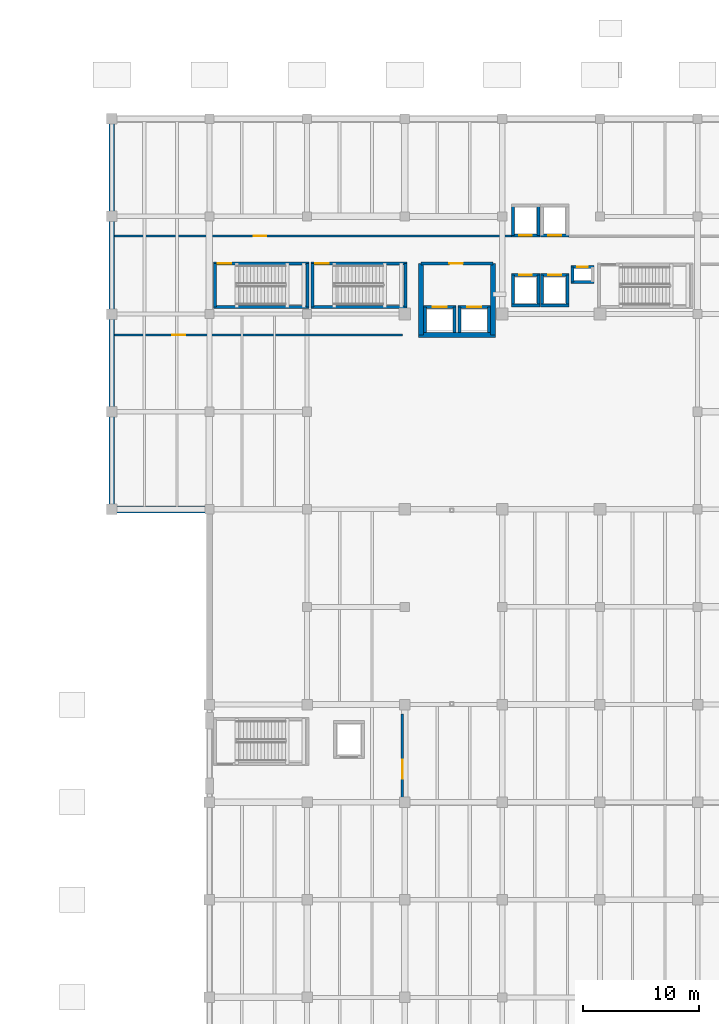
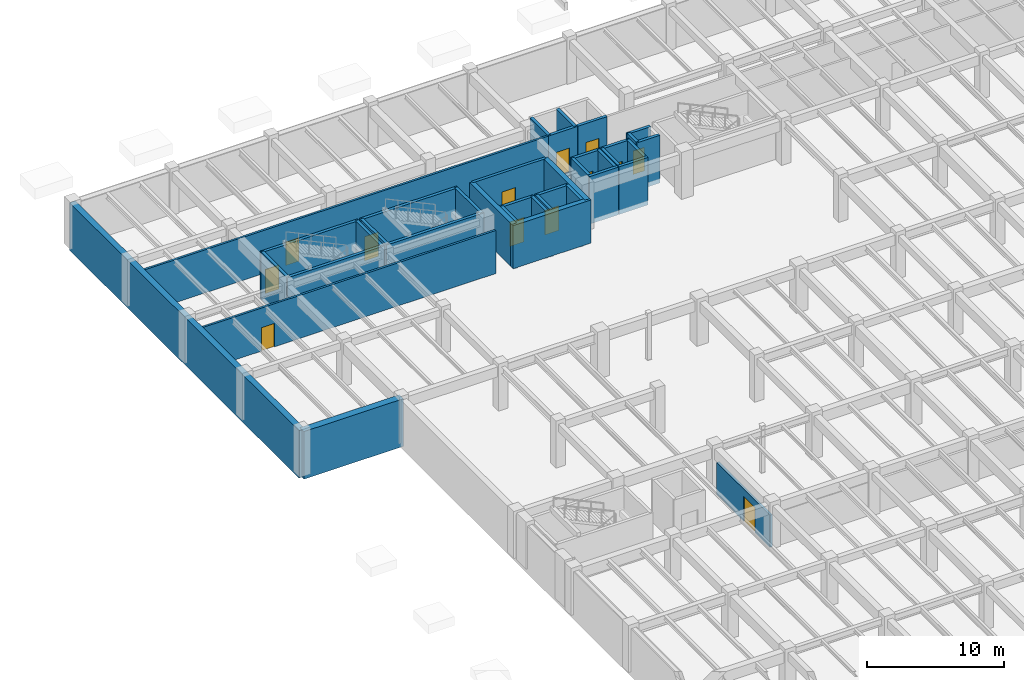
# One storey, part 39 of 63: 38 walls, 13 doors, 13 openings.
"""IFC4 building model written with IfcOpenShell, lengths in metres."""

from ifc_helpers import new_model, si_unit, direction, frame, frame_2d, origin, place, context, subcontext, project, spatial, rectangle, extrude, material, layer, layer_set, type_object, element, fill, save


model = new_model("IFC4")

# Units and contexts
model_context = context("Model", 3, precision=1e-05, world=origin(), true_north=direction((0.0, 1.0)))
body_context = subcontext(model_context, "Body", "Model", "MODEL_VIEW")
ifc_project = project(units=[si_unit("LENGTHUNIT", "METRE"), si_unit("AREAUNIT", "SQUARE_METRE"), si_unit("VOLUMEUNIT", "CUBIC_METRE"), si_unit("PLANEANGLEUNIT", "RADIAN"), si_unit("MASSUNIT", "GRAM", prefix="KILO")], contexts=[model_context])

# Site, building, storey
site_placement = place(None, origin())
site = spatial("IfcSite", under=ifc_project, at=site_placement, CompositionType="ELEMENT")
building_placement = place(site_placement, origin())
building = spatial("IfcBuilding", under=site, at=building_placement, Name="Cumbredor Promenade Congress Hotel", CompositionType="ELEMENT")
storey_placement = place(building_placement, frame((0.0, 0.0, -4.199951171875)))
storey = spatial("IfcBuildingStorey", under=building, at=storey_placement, Name="B01", CompositionType="ELEMENT", Elevation=-4.199951171875)

# Walls
ifc_material_1 = material(Name="Concrete C40/50", Category="concrete")
ifc_layer_1 = layer(ifc_material_1, 0.5, Name="Concrete C40/50", Category="concrete")
ifc_layer_set_1 = layer_set([ifc_layer_1], Name="Concrete C40/50")
wall_type_1 = type_object("IfcWallType", Name="Basement Retaining Wall 500mm", PredefinedType="USERDEFINED", material=ifc_layer_set_1)
wall_1_placement = place(storey_placement, frame((0.0, 117.60009765625, -0.400146484375), z_axis=(0.0, 0.0, 1.0), x_axis=(0.0, -1.0, 0.0)))
element("IfcWall", 1, at=wall_1_placement, inside=storey, type_object=wall_type_1, Name="B01 Basement Retaining Wall RW-B01-06", ObjectType="RETAINING WALL", PredefinedType="USERDEFINED", context=body_context, shape_type="SweptSolid", body=[
    extrude(rectangle(XDim=33.60009765625, YDim=0.5, at=frame_2d((16.800048828125, 0.0))), origin(), (0.0, 0.0, 1.0), 4.25),
])
ifc_layer_2 = layer(ifc_material_1, 0.60009765625, Name="Concrete C40/50", Category="concrete")
ifc_layer_set_2 = layer_set([ifc_layer_2], Name="Concrete C40/50")
wall_type_2 = type_object("IfcWallType", Name="Basement Retaining Wall 600mm", PredefinedType="USERDEFINED", material=ifc_layer_set_2)
wall_2_placement = place(storey_placement, frame((0.0, 84.0, -0.400146484375), z_axis=(0.0, 0.0, 1.0), x_axis=(1.0, 0.0, 0.0)))
element("IfcWall", 2, at=wall_2_placement, inside=storey, type_object=wall_type_2, Name="B01 Basement Retaining Wall RW-B01-07", ObjectType="RETAINING WALL", PredefinedType="USERDEFINED", context=body_context, shape_type="SweptSolid", body=[
    extrude(rectangle(XDim=8.39990234375, YDim=0.60009765625, at=frame_2d((4.199951171875, 0.0))), origin(), (0.0, 0.0, 1.0), 4.25),
])
ifc_material_2 = material(Name="Concrete C50/60", Category="concrete")
ifc_layer_3 = layer(ifc_material_2, 0.39990234375, Name="Concrete C50/60", Category="concrete")
ifc_layer_set_3 = layer_set([ifc_layer_3], Name="Concrete C50/60")
wall_type_3 = type_object("IfcWallType", Name="Seismic Shear Core Wall 400mm", PredefinedType="SHEAR", material=ifc_layer_set_3)
wall_3_placement = place(storey_placement, frame((26.60009765625, 99.0, 0.0), z_axis=(0.0, 0.0, 1.0), x_axis=(0.0, 1.0, 0.0)))
element("IfcWall", 3, at=wall_3_placement, inside=storey, type_object=wall_type_3, Name="B01 Hotel Core Shear Wall W1", PredefinedType="SHEAR", context=body_context, shape_type="SweptSolid", body=[
    extrude(rectangle(XDim=6.14990234375, YDim=0.39990234375, at=frame_2d((3.074951171875, 0.0))), origin(), (0.0, 0.0, 1.0), 3.849853515625),
])
wall_4_placement = place(storey_placement, frame((26.39990234375, 99.0, 0.0), z_axis=(0.0, 0.0, 1.0), x_axis=(1.0, 0.0, 0.0)))
element("IfcWall", 4, at=wall_4_placement, inside=storey, type_object=wall_type_3, Name="B01 Hotel Core Shear Wall S1", PredefinedType="SHEAR", context=body_context, shape_type="SweptSolid", body=[
    extrude(rectangle(XDim=6.60009765625, YDim=0.39990234375, at=frame_2d((3.300048828125, 0.0))), origin(), (0.0, 0.0, 1.0), 3.849853515625),
])
wall_5_placement = place(storey_placement, frame((32.800048828125, 99.0, 0.0), z_axis=(0.0, 0.0, 1.0), x_axis=(0.0, 1.0, 0.0)))
element("IfcWall", 5, at=wall_5_placement, inside=storey, type_object=wall_type_3, Name="B01 Hotel Core Shear Wall E1", PredefinedType="SHEAR", context=body_context, shape_type="SweptSolid", body=[
    extrude(rectangle(XDim=6.14990234375, YDim=0.39990234375, at=frame_2d((3.074951171875, 0.0))), origin(), (0.0, 0.0, 1.0), 3.849853515625),
])

# Wall, opening, door
ifc_layer_4 = layer(ifc_material_1, 0.199951171875, Name="Concrete C40/50", Category="concrete")
ifc_layer_set_4 = layer_set([ifc_layer_4], Name="Concrete C40/50")
wall_type_4 = type_object("IfcWallType", Name="WL-CORE-200", PredefinedType="SOLIDWALL", material=ifc_layer_set_4)
wall_6_placement = place(storey_placement, frame((25.0, 58.60009765625, 0.0), z_axis=(0.0, 0.0, 1.0), x_axis=(0.0, 1.0, 0.0)))
wall_6 = element("IfcWall", 6, at=wall_6_placement, inside=storey, type_object=wall_type_4, Name="B01 Interior Partition W-B01-ELEC-W", PredefinedType="SOLIDWALL", context=body_context, shape_type="SweptSolid", body=[
    extrude(rectangle(XDim=7.7998046875, YDim=0.199951171875, at=frame_2d((3.89990234375, 0.0))), origin(), (0.0, 0.0, 1.0), 2.885009765625),
])
opening_1_placement = place(wall_6_placement, frame((2.199951171875, 0.0, 0.0)))
opening_1 = element("IfcOpeningElement", 7, at=opening_1_placement, cuts=wall_6, Name="Opening FD-09", PredefinedType="OPENING", context=body_context, shape_type="SweptSolid", body=[
    extrude(rectangle(XDim=1.64990234375, YDim=2.25, at=frame_2d((0.824951171875, 1.125))), frame((0.0, 0.10986328125, 0.0), z_axis=(0.0, -1.0, 0.0), x_axis=(1.0, 0.0, 0.0)), (0.0, 0.0, 1.0), 0.219970703125),
])
ifc_material_3 = material(Name="Painted galvanized steel fire door", Category="steel")
door_type_1 = type_object("IfcDoorType", Name="DR-PLANT-FD60-1600", OperationType="DOUBLE_DOOR_SINGLE_SWING", PredefinedType="DOOR", material=ifc_material_3)
door_1_placement = place(opening_1_placement, origin())
door_1 = element("IfcDoor", 8, at=door_1_placement, inside=storey, type_object=door_type_1, Name="B01 Interior Door W-B01-ELEC-W-01", OperationType="DOUBLE_DOOR_SINGLE_SWING", OverallHeight=2.25, OverallWidth=1.64990234375, PredefinedType="DOOR", context=body_context, shape_type="SweptSolid", body=[
    extrude(rectangle(XDim=1.64990234375, YDim=2.25, at=frame_2d((0.824951171875, 1.125))), frame((0.0, 0.02490234375, 0.0), z_axis=(0.0, -1.0, 0.0), x_axis=(1.0, 0.0, 0.0)), (0.0, 0.0, 1.0), 0.050048828125),
])
fill(opening_1, door_1)

ifc_material_4 = material(Name="Fire-rated hotel corridor wall")
ifc_layer_5 = layer(ifc_material_4, 0.179931640625, Name="Fire-rated hotel corridor wall")
ifc_layer_set_5 = layer_set([ifc_layer_5], Name="Fire-rated hotel corridor wall")
wall_type_5 = type_object("IfcWallType", Name="WL-CORR-180", PredefinedType="PARTITIONING", material=ifc_layer_set_5)
wall_7_placement = place(storey_placement, frame((0.25, 99.0, 0.0), z_axis=(0.0, 0.0, 1.0), x_axis=(1.0, 0.0, 0.0)))
wall_7 = element("IfcWall", 9, at=wall_7_placement, inside=storey, type_object=wall_type_5, Name="B01 Interior Partition W-B01-03", PredefinedType="PARTITIONING", context=body_context, shape_type="SweptSolid", body=[
    extrude(rectangle(XDim=24.75, YDim=0.179931640625, at=frame_2d((12.375, 0.0))), origin(), (0.0, 0.0, 1.0), 3.849853515625),
])
opening_2_placement = place(wall_7_placement, frame((4.949951171875, 0.0, 0.0)))
opening_2 = element("IfcOpeningElement", 10, at=opening_2_placement, cuts=wall_7, Name="Opening FD-04", PredefinedType="OPENING", context=body_context, shape_type="SweptSolid", body=[
    extrude(rectangle(XDim=1.10009765625, YDim=2.10009765625, at=frame_2d((0.550048828125, 1.050048828125))), frame((0.0, 0.10009765625, 0.0), z_axis=(0.0, -1.0, 0.0), x_axis=(1.0, 0.0, 0.0)), (0.0, 0.0, 1.0), 0.199951171875),
])
door_type_2 = type_object("IfcDoorType", Name="DR-SGL-FD60-1100", OperationType="NOTDEFINED", PredefinedType="DOOR", material=ifc_material_3)
door_2_placement = place(opening_2_placement, origin())
door_2 = element("IfcDoor", 11, at=door_2_placement, inside=storey, type_object=door_type_2, Name="B01 Interior Door W-B01-03-01", OperationType="SINGLE_SWING_LEFT", OverallHeight=2.10009765625, OverallWidth=1.10009765625, PredefinedType="DOOR", context=body_context, shape_type="SweptSolid", body=[
    extrude(rectangle(XDim=1.10009765625, YDim=2.10009765625, at=frame_2d((0.550048828125, 1.050048828125))), frame((0.0, 0.02490234375, 0.0), z_axis=(0.0, -1.0, 0.0), x_axis=(1.0, 0.0, 0.0)), (0.0, 0.0, 1.0), 0.050048828125),
])
fill(opening_2, door_2)

wall_8_placement = place(storey_placement, frame((0.25, 107.5, 0.0), z_axis=(0.0, 0.0, 1.0), x_axis=(1.0, 0.0, 0.0)))
wall_8 = element("IfcWall", 12, at=wall_8_placement, inside=storey, type_object=wall_type_5, Name="B01 Interior Partition W-B01-05A", PredefinedType="PARTITIONING", context=body_context, shape_type="SweptSolid", body=[
    extrude(rectangle(XDim=34.1201171875, YDim=0.179931640625, at=frame_2d((17.06005859375, 0.0))), origin(), (0.0, 0.0, 1.0), 3.849853515625),
])
opening_3_placement = place(wall_8_placement, frame((11.949951171875, 0.0, 0.0)))
opening_3 = element("IfcOpeningElement", 13, at=opening_3_placement, cuts=wall_8, Name="Opening FD-04", PredefinedType="OPENING", context=body_context, shape_type="SweptSolid", body=[
    extrude(rectangle(XDim=1.10009765625, YDim=2.10009765625, at=frame_2d((0.550048828125, 1.050048828125))), frame((0.0, 0.10009765625, 0.0), z_axis=(0.0, -1.0, 0.0), x_axis=(1.0, 0.0, 0.0)), (0.0, 0.0, 1.0), 0.199951171875),
])
door_3_placement = place(opening_3_placement, origin())
door_3 = element("IfcDoor", 14, at=door_3_placement, inside=storey, type_object=door_type_2, Name="B01 Interior Door W-B01-05A-01", OperationType="SINGLE_SWING_LEFT", OverallHeight=2.10009765625, OverallWidth=1.10009765625, PredefinedType="DOOR", context=body_context, shape_type="SweptSolid", body=[
    extrude(rectangle(XDim=1.10009765625, YDim=2.10009765625, at=frame_2d((0.550048828125, 1.050048828125))), frame((0.0, 0.02490234375, 0.0), z_axis=(0.0, -1.0, 0.0), x_axis=(1.0, 0.0, 0.0)), (0.0, 0.0, 1.0), 0.050048828125),
])
fill(opening_3, door_3)

ifc_layer_6 = layer(ifc_material_1, 0.239990234375, Name="Concrete C40/50", Category="concrete")
ifc_layer_set_6 = layer_set([ifc_layer_6], Name="Concrete C40/50")
wall_type_6 = type_object("IfcWallType", Name="WL-FFL-240", PredefinedType="SOLIDWALL", material=ifc_layer_set_6)
wall_9_placement = place(storey_placement, frame((26.60009765625, 105.14990234375, 0.0), z_axis=(0.0, 0.0, 1.0), x_axis=(1.0, 0.0, 0.0)))
wall_9 = element("IfcWall", 15, at=wall_9_placement, inside=storey, type_object=wall_type_6, Name="B01 Interior Partition W-FFL-B01-N", PredefinedType="SOLIDWALL", context=body_context, shape_type="SweptSolid", body=[
    extrude(rectangle(XDim=6.199951171875, YDim=0.239990234375, at=frame_2d((3.10009765625, 0.0))), origin(), (0.0, 0.0, 1.0), 3.849853515625),
])
opening_4_placement = place(wall_9_placement, frame((2.449951171875, 0.0, 0.0)))
opening_4 = element("IfcOpeningElement", 16, at=opening_4_placement, cuts=wall_9, Name="Opening FD-05", PredefinedType="OPENING", context=body_context, shape_type="SweptSolid", body=[
    extrude(rectangle(XDim=1.14990234375, YDim=2.14990234375, at=frame_2d((0.574951171875, 1.074951171875))), frame((0.0, 0.1298828125, 0.0), z_axis=(0.0, -1.0, 0.0), x_axis=(1.0, 0.0, 0.0)), (0.0, 0.0, 1.0), 0.260009765625),
])
door_type_3 = type_object("IfcDoorType", Name="DR-SGL-FD60-1150", OperationType="NOTDEFINED", PredefinedType="DOOR", material=ifc_material_3)
door_4_placement = place(opening_4_placement, origin())
door_4 = element("IfcDoor", 17, at=door_4_placement, inside=storey, type_object=door_type_3, Name="B01 Interior Door W-FFL-B01-N-01", OperationType="SINGLE_SWING_RIGHT", OverallHeight=2.14990234375, OverallWidth=1.14990234375, PredefinedType="DOOR", context=body_context, shape_type="SweptSolid", body=[
    extrude(rectangle(XDim=1.14990234375, YDim=2.14990234375, at=frame_2d((0.574951171875, 1.074951171875))), frame((0.0, 0.02490234375, 0.0), z_axis=(0.0, -1.0, 0.0), x_axis=(1.0, 0.0, 0.0)), (0.0, 0.0, 1.0), 0.050048828125),
])
fill(opening_4, door_4)

# Wall
ifc_layer_7 = layer(ifc_material_1, 0.2548828125, Name="Concrete C40/50", Category="concrete")
ifc_layer_set_7 = layer_set([ifc_layer_7], Name="Concrete C40/50")
wall_type_7 = type_object("IfcWallType", Name="WL-SHAFT-250", PredefinedType="SOLIDWALL", material=ifc_layer_set_7)
wall_10_placement = place(storey_placement, frame((8.75244140625, 101.419921875, -0.400146484375), z_axis=(0.0, 0.0, 1.0), x_axis=(1.0, 0.0, 0.0)))
element("IfcWall", 18, at=wall_10_placement, inside=storey, type_object=wall_type_7, Name="STAIR-ST-01-B01 Shaft Wall South", PredefinedType="SOLIDWALL", context=body_context, shape_type="SweptSolid", body=[
    extrude(rectangle(XDim=8.22509765625, YDim=0.2548828125, at=frame_2d((4.112548828125, 0.0))), origin(), (0.0, 0.0, 1.0), 4.25),
])

# Wall, opening, door
wall_11_placement = place(storey_placement, frame((8.75244140625, 105.14990234375, -0.400146484375), z_axis=(0.0, 0.0, 1.0), x_axis=(1.0, 0.0, 0.0)))
wall_11 = element("IfcWall", 19, at=wall_11_placement, inside=storey, type_object=wall_type_7, Name="STAIR-ST-01-B01 Shaft Wall North", PredefinedType="SOLIDWALL", context=body_context, shape_type="SweptSolid", body=[
    extrude(rectangle(XDim=8.22509765625, YDim=0.2548828125, at=frame_2d((4.112548828125, 0.0))), origin(), (0.0, 0.0, 1.0), 4.25),
])
opening_5_placement = place(wall_11_placement, frame((0.35009765625, 0.0, 0.39990234375)))
opening_5 = element("IfcOpeningElement", 20, at=opening_5_placement, cuts=wall_11, Name="Opening SD-01", PredefinedType="OPENING", context=body_context, shape_type="SweptSolid", body=[
    extrude(rectangle(XDim=1.159912109375, YDim=2.14990234375, at=frame_2d((0.580078125, 1.074951171875))), frame((0.0, 0.137451171875, 0.0), z_axis=(0.0, -1.0, 0.0), x_axis=(1.0, 0.0, 0.0)), (0.0, 0.0, 1.0), 0.27490234375),
])
door_type_4 = type_object("IfcDoorType", Name="DR-STAIR-FD90-1150", OperationType="NOTDEFINED", PredefinedType="DOOR", material=ifc_material_3)
door_5_placement = place(opening_5_placement, origin())
door_5 = element("IfcDoor", 21, at=door_5_placement, inside=storey, type_object=door_type_4, Name="B01 Protected Exit Stair ST-01 Door", OperationType="SINGLE_SWING_LEFT", OverallHeight=2.14990234375, OverallWidth=1.159912109375, PredefinedType="DOOR", context=body_context, shape_type="SweptSolid", body=[
    extrude(rectangle(XDim=1.159912109375, YDim=2.14990234375, at=frame_2d((0.580078125, 1.074951171875))), frame((0.0, 0.02490234375, 0.0), z_axis=(0.0, -1.0, 0.0), x_axis=(1.0, 0.0, 0.0)), (0.0, 0.0, 1.0), 0.050048828125),
])
fill(opening_5, door_5)

# Walls
for number, where, z_axis, x_axis, name in (
    (22, (8.8798828125, 101.419921875, -0.400146484375), (0.0, 0.0, 1.0), (0.0, 1.0, 0.0), "STAIR-ST-01-B01 Shaft Wall West"),
    (23, (16.85009765625, 101.419921875, -0.400146484375), (0.0, 0.0, 1.0), (0.0, 1.0, 0.0), "STAIR-ST-01-B01 Shaft Wall East"),
):
    element("IfcWall", number, at=place(storey_placement, frame(where, z_axis=z_axis, x_axis=x_axis)), inside=storey, type_object=wall_type_7, Name=name, PredefinedType="SOLIDWALL", context=body_context, shape_type="SweptSolid", body=[
        extrude(rectangle(XDim=3.72998046875, YDim=0.2548828125, at=frame_2d((1.864990234375, 0.0))), origin(), (0.0, 0.0, 1.0), 4.25),
    ])
wall_12_placement = place(storey_placement, frame((17.152587890625, 101.419921875, -0.400146484375), z_axis=(0.0, 0.0, 1.0), x_axis=(1.0, 0.0, 0.0)))
element("IfcWall", 24, at=wall_12_placement, inside=storey, type_object=wall_type_7, Name="STAIR-ST-02-B01 Shaft Wall South", PredefinedType="SOLIDWALL", context=body_context, shape_type="SweptSolid", body=[
    extrude(rectangle(XDim=8.224853515625, YDim=0.2548828125, at=frame_2d((4.1123046875, 0.0))), origin(), (0.0, 0.0, 1.0), 4.25),
])

# Wall, opening, door
wall_13_placement = place(storey_placement, frame((17.152587890625, 105.14990234375, -0.400146484375), z_axis=(0.0, 0.0, 1.0), x_axis=(1.0, 0.0, 0.0)))
wall_13 = element("IfcWall", 25, at=wall_13_placement, inside=storey, type_object=wall_type_7, Name="STAIR-ST-02-B01 Shaft Wall North", PredefinedType="SOLIDWALL", context=body_context, shape_type="SweptSolid", body=[
    extrude(rectangle(XDim=8.224853515625, YDim=0.2548828125, at=frame_2d((4.1123046875, 0.0))), origin(), (0.0, 0.0, 1.0), 4.25),
])
opening_6_placement = place(wall_13_placement, frame((0.35009765625, 0.0, 0.39990234375)))
opening_6 = element("IfcOpeningElement", 26, at=opening_6_placement, cuts=wall_13, Name="Opening SD-01", PredefinedType="OPENING", context=body_context, shape_type="SweptSolid", body=[
    extrude(rectangle(XDim=1.159912109375, YDim=2.14990234375, at=frame_2d((0.580078125, 1.074951171875))), frame((0.0, 0.137451171875, 0.0), z_axis=(0.0, -1.0, 0.0), x_axis=(1.0, 0.0, 0.0)), (0.0, 0.0, 1.0), 0.27490234375),
])
door_6_placement = place(opening_6_placement, origin())
door_6 = element("IfcDoor", 27, at=door_6_placement, inside=storey, type_object=door_type_4, Name="B01 Protected Exit Stair ST-02 Door", OperationType="SINGLE_SWING_RIGHT", OverallHeight=2.14990234375, OverallWidth=1.159912109375, PredefinedType="DOOR", context=body_context, shape_type="SweptSolid", body=[
    extrude(rectangle(XDim=1.159912109375, YDim=2.14990234375, at=frame_2d((0.580078125, 1.074951171875))), frame((0.0, 0.02490234375, 0.0), z_axis=(0.0, -1.0, 0.0), x_axis=(1.0, 0.0, 0.0)), (0.0, 0.0, 1.0), 0.050048828125),
])
fill(opening_6, door_6)

# Walls
for number, where, z_axis, x_axis, name in (
    (28, (17.280029296875, 101.419921875, -0.400146484375), (0.0, 0.0, 1.0), (0.0, 1.0, 0.0), "STAIR-ST-02-B01 Shaft Wall West"),
    (29, (25.25, 101.419921875, -0.400146484375), (0.0, 0.0, 1.0), (0.0, 1.0, 0.0), "STAIR-ST-02-B01 Shaft Wall East"),
):
    element("IfcWall", number, at=place(storey_placement, frame(where, z_axis=z_axis, x_axis=x_axis)), inside=storey, type_object=wall_type_7, Name=name, PredefinedType="SOLIDWALL", context=body_context, shape_type="SweptSolid", body=[
        extrude(rectangle(XDim=3.72998046875, YDim=0.2548828125, at=frame_2d((1.864990234375, 0.0))), origin(), (0.0, 0.0, 1.0), 4.25),
    ])

# Wall, opening, door
wall_14_placement = place(storey_placement, frame((26.802490234375, 101.39990234375, -0.400146484375), z_axis=(0.0, 0.0, 1.0), x_axis=(1.0, 0.0, 0.0)))
wall_14 = element("IfcWall", 30, at=wall_14_placement, inside=storey, type_object=wall_type_7, Name="SHAFT-FF-01-B01 Shaft Wall North", PredefinedType="SOLIDWALL", context=body_context, shape_type="SweptSolid", body=[
    extrude(rectangle(XDim=2.824951171875, YDim=0.2548828125, at=frame_2d((1.41259765625, 0.0))), origin(), (0.0, 0.0, 1.0), 4.25),
])
opening_7_placement = place(wall_14_placement, frame((0.8125, 0.0, 0.39990234375)))
opening_7 = element("IfcOpeningElement", 31, at=opening_7_placement, cuts=wall_14, Name="Opening LD-02", PredefinedType="OPENING", context=body_context, shape_type="SweptSolid", body=[
    extrude(rectangle(XDim=1.199951171875, YDim=2.199951171875, at=frame_2d((0.60009765625, 1.10009765625))), frame((0.0, 0.137451171875, 0.0), z_axis=(0.0, -1.0, 0.0), x_axis=(1.0, 0.0, 0.0)), (0.0, 0.0, 1.0), 0.27490234375),
])
ifc_material_5 = material(Name="Brushed stainless steel", Category="steel")
door_type_5 = type_object("IfcDoorType", Name="Firefighting Lift Sliding Door LD-02 1200x2200", OperationType="DOUBLE_DOOR_SLIDING", PredefinedType="DOOR", material=ifc_material_5)
door_7_placement = place(opening_7_placement, origin())
door_7 = element("IfcDoor", 32, at=door_7_placement, inside=storey, type_object=door_type_5, Name="B01 Firefighting Lift FF-01 Sliding Landing Door", OperationType="DOUBLE_DOOR_SLIDING", OverallHeight=2.199951171875, OverallWidth=1.199951171875, PredefinedType="DOOR", context=body_context, shape_type="SweptSolid", body=[
    extrude(rectangle(XDim=1.199951171875, YDim=2.199951171875, at=frame_2d((0.60009765625, 1.10009765625))), frame((0.0, 0.02490234375, 0.0), z_axis=(0.0, -1.0, 0.0), x_axis=(1.0, 0.0, 0.0)), (0.0, 0.0, 1.0), 0.050048828125),
])
fill(opening_7, door_7)

# Walls
for number, where, z_axis, x_axis, name in (
    (33, (26.929931640625, 99.199951171875, -0.400146484375), (0.0, 0.0, 1.0), (0.0, 1.0, 0.0), "SHAFT-FF-01-B01 Shaft Wall West"),
    (34, (29.5, 99.199951171875, -0.400146484375), (0.0, 0.0, 1.0), (0.0, 1.0, 0.0), "SHAFT-FF-01-B01 Shaft Wall East"),
):
    element("IfcWall", number, at=place(storey_placement, frame(where, z_axis=z_axis, x_axis=x_axis)), inside=storey, type_object=wall_type_7, Name=name, PredefinedType="SOLIDWALL", context=body_context, shape_type="SweptSolid", body=[
        extrude(rectangle(XDim=2.199951171875, YDim=0.2548828125, at=frame_2d((1.10009765625, 0.0))), origin(), (0.0, 0.0, 1.0), 4.25),
    ])

# Wall, opening, door
wall_15_placement = place(storey_placement, frame((29.7724609375, 101.39990234375, -0.400146484375), z_axis=(0.0, 0.0, 1.0), x_axis=(1.0, 0.0, 0.0)))
wall_15 = element("IfcWall", 35, at=wall_15_placement, inside=storey, type_object=wall_type_7, Name="SHAFT-FF-02-B01 Shaft Wall North", PredefinedType="SOLIDWALL", context=body_context, shape_type="SweptSolid", body=[
    extrude(rectangle(XDim=2.824951171875, YDim=0.2548828125, at=frame_2d((1.41259765625, 0.0))), origin(), (0.0, 0.0, 1.0), 4.25),
])
opening_8_placement = place(wall_15_placement, frame((0.8125, 0.0, 0.39990234375)))
opening_8 = element("IfcOpeningElement", 36, at=opening_8_placement, cuts=wall_15, Name="Opening LD-02", PredefinedType="OPENING", context=body_context, shape_type="SweptSolid", body=[
    extrude(rectangle(XDim=1.199951171875, YDim=2.199951171875, at=frame_2d((0.60009765625, 1.10009765625))), frame((0.0, 0.137451171875, 0.0), z_axis=(0.0, -1.0, 0.0), x_axis=(1.0, 0.0, 0.0)), (0.0, 0.0, 1.0), 0.27490234375),
])
door_8_placement = place(opening_8_placement, origin())
door_8 = element("IfcDoor", 37, at=door_8_placement, inside=storey, type_object=door_type_5, Name="B01 Firefighting Lift FF-02 Sliding Landing Door", OperationType="DOUBLE_DOOR_SLIDING", OverallHeight=2.199951171875, OverallWidth=1.199951171875, PredefinedType="DOOR", context=body_context, shape_type="SweptSolid", body=[
    extrude(rectangle(XDim=1.199951171875, YDim=2.199951171875, at=frame_2d((0.60009765625, 1.10009765625))), frame((0.0, 0.02490234375, 0.0), z_axis=(0.0, -1.0, 0.0), x_axis=(1.0, 0.0, 0.0)), (0.0, 0.0, 1.0), 0.050048828125),
])
fill(opening_8, door_8)

# Walls
for number, where, z_axis, x_axis, name in (
    (38, (29.89990234375, 99.199951171875, -0.400146484375), (0.0, 0.0, 1.0), (0.0, 1.0, 0.0), "SHAFT-FF-02-B01 Shaft Wall West"),
    (39, (32.469970703125, 99.199951171875, -0.400146484375), (0.0, 0.0, 1.0), (0.0, 1.0, 0.0), "SHAFT-FF-02-B01 Shaft Wall East"),
):
    element("IfcWall", number, at=place(storey_placement, frame(where, z_axis=z_axis, x_axis=x_axis)), inside=storey, type_object=wall_type_7, Name=name, PredefinedType="SOLIDWALL", context=body_context, shape_type="SweptSolid", body=[
        extrude(rectangle(XDim=2.199951171875, YDim=0.2548828125, at=frame_2d((1.10009765625, 0.0))), origin(), (0.0, 0.0, 1.0), 4.25),
    ])

# Wall, opening, door
wall_16_placement = place(storey_placement, frame((34.37255859375, 107.550048828125, -0.400146484375), z_axis=(0.0, 0.0, 1.0), x_axis=(1.0, 0.0, 0.0)))
wall_16 = element("IfcWall", 40, at=wall_16_placement, inside=storey, type_object=wall_type_7, Name="SHAFT-PL-01-B01 Shaft Wall South", PredefinedType="SOLIDWALL", context=body_context, shape_type="SweptSolid", body=[
    extrude(rectangle(XDim=2.454833984375, YDim=0.2548828125, at=frame_2d((1.2275390625, 0.0))), origin(), (0.0, 0.0, 1.0), 4.25),
])
opening_9_placement = place(wall_16_placement, frame((0.677490234375, 0.0, 0.39990234375)))
opening_9 = element("IfcOpeningElement", 41, at=opening_9_placement, cuts=wall_16, Name="Opening LD-01", PredefinedType="OPENING", context=body_context, shape_type="SweptSolid", body=[
    extrude(rectangle(XDim=1.10009765625, YDim=2.14990234375, at=frame_2d((0.550048828125, 1.074951171875))), frame((0.0, 0.137451171875, 0.0), z_axis=(0.0, -1.0, 0.0), x_axis=(1.0, 0.0, 0.0)), (0.0, 0.0, 1.0), 0.27490234375),
])
door_type_6 = type_object("IfcDoorType", Name="Lift Landing Sliding Door LD-01 1100x2150", OperationType="DOUBLE_DOOR_SLIDING", PredefinedType="DOOR", material=ifc_material_5)
door_9_placement = place(opening_9_placement, origin())
door_9 = element("IfcDoor", 42, at=door_9_placement, inside=storey, type_object=door_type_6, Name="B01 Hotel Passenger Lift PL-01 Sliding Landing Door", OperationType="DOUBLE_DOOR_SLIDING", OverallHeight=2.14990234375, OverallWidth=1.10009765625, PredefinedType="DOOR", context=body_context, shape_type="SweptSolid", body=[
    extrude(rectangle(XDim=1.10009765625, YDim=2.14990234375, at=frame_2d((0.550048828125, 1.074951171875))), frame((0.0, 0.02490234375, 0.0), z_axis=(0.0, -1.0, 0.0), x_axis=(1.0, 0.0, 0.0)), (0.0, 0.0, 1.0), 0.050048828125),
])
fill(opening_9, door_9)

# Walls
for number, where, z_axis, x_axis, name in (
    (43, (34.5, 107.550048828125, -0.400146484375), (0.0, 0.0, 1.0), (0.0, 1.0, 0.0), "SHAFT-PL-01-B01 Shaft Wall West"),
    (44, (36.699951171875, 107.550048828125, -0.400146484375), (0.0, 0.0, 1.0), (0.0, 1.0, 0.0), "SHAFT-PL-01-B01 Shaft Wall East"),
):
    element("IfcWall", number, at=place(storey_placement, frame(where, z_axis=z_axis, x_axis=x_axis)), inside=storey, type_object=wall_type_7, Name=name, PredefinedType="SOLIDWALL", context=body_context, shape_type="SweptSolid", body=[
        extrude(rectangle(XDim=2.599853515625, YDim=0.2548828125, at=frame_2d((1.2998046875, 0.0))), origin(), (0.0, 0.0, 1.0), 4.25),
    ])

# Wall, opening, door
wall_17_placement = place(storey_placement, frame((36.87255859375, 107.550048828125, -0.400146484375), z_axis=(0.0, 0.0, 1.0), x_axis=(1.0, 0.0, 0.0)))
wall_17 = element("IfcWall", 45, at=wall_17_placement, inside=storey, type_object=wall_type_7, Name="SHAFT-PL-02-B01 Shaft Wall South", PredefinedType="SOLIDWALL", context=body_context, shape_type="SweptSolid", body=[
    extrude(rectangle(XDim=2.454833984375, YDim=0.2548828125, at=frame_2d((1.2275390625, 0.0))), origin(), (0.0, 0.0, 1.0), 4.25),
])
opening_10_placement = place(wall_17_placement, frame((0.677490234375, 0.0, 0.39990234375)))
opening_10 = element("IfcOpeningElement", 46, at=opening_10_placement, cuts=wall_17, Name="Opening LD-01", PredefinedType="OPENING", context=body_context, shape_type="SweptSolid", body=[
    extrude(rectangle(XDim=1.10009765625, YDim=2.14990234375, at=frame_2d((0.550048828125, 1.074951171875))), frame((0.0, 0.137451171875, 0.0), z_axis=(0.0, -1.0, 0.0), x_axis=(1.0, 0.0, 0.0)), (0.0, 0.0, 1.0), 0.27490234375),
])
door_10_placement = place(opening_10_placement, origin())
door_10 = element("IfcDoor", 47, at=door_10_placement, inside=storey, type_object=door_type_6, Name="B01 Hotel Passenger Lift PL-02 Sliding Landing Door", OperationType="DOUBLE_DOOR_SLIDING", OverallHeight=2.14990234375, OverallWidth=1.10009765625, PredefinedType="DOOR", context=body_context, shape_type="SweptSolid", body=[
    extrude(rectangle(XDim=1.10009765625, YDim=2.14990234375, at=frame_2d((0.550048828125, 1.074951171875))), frame((0.0, 0.02490234375, 0.0), z_axis=(0.0, -1.0, 0.0), x_axis=(1.0, 0.0, 0.0)), (0.0, 0.0, 1.0), 0.050048828125),
])
fill(opening_10, door_10)

# Wall
wall_18_placement = place(storey_placement, frame((34.37255859375, 101.550048828125, -0.400146484375), z_axis=(0.0, 0.0, 1.0), x_axis=(1.0, 0.0, 0.0)))
element("IfcWall", 48, at=wall_18_placement, inside=storey, type_object=wall_type_7, Name="SHAFT-PL-03-B01 Shaft Wall South", PredefinedType="SOLIDWALL", context=body_context, shape_type="SweptSolid", body=[
    extrude(rectangle(XDim=2.454833984375, YDim=0.2548828125, at=frame_2d((1.2275390625, 0.0))), origin(), (0.0, 0.0, 1.0), 4.25),
])

# Wall, opening, door
wall_19_placement = place(storey_placement, frame((34.37255859375, 104.14990234375, -0.400146484375), z_axis=(0.0, 0.0, 1.0), x_axis=(1.0, 0.0, 0.0)))
wall_19 = element("IfcWall", 49, at=wall_19_placement, inside=storey, type_object=wall_type_7, Name="SHAFT-PL-03-B01 Shaft Wall North", PredefinedType="SOLIDWALL", context=body_context, shape_type="SweptSolid", body=[
    extrude(rectangle(XDim=2.454833984375, YDim=0.2548828125, at=frame_2d((1.2275390625, 0.0))), origin(), (0.0, 0.0, 1.0), 4.25),
])
opening_11_placement = place(wall_19_placement, frame((0.677490234375, 0.0, 0.39990234375)))
opening_11 = element("IfcOpeningElement", 50, at=opening_11_placement, cuts=wall_19, Name="Opening LD-01", PredefinedType="OPENING", context=body_context, shape_type="SweptSolid", body=[
    extrude(rectangle(XDim=1.10009765625, YDim=2.14990234375, at=frame_2d((0.550048828125, 1.074951171875))), frame((0.0, 0.137451171875, 0.0), z_axis=(0.0, -1.0, 0.0), x_axis=(1.0, 0.0, 0.0)), (0.0, 0.0, 1.0), 0.27490234375),
])
door_11_placement = place(opening_11_placement, origin())
door_11 = element("IfcDoor", 51, at=door_11_placement, inside=storey, type_object=door_type_6, Name="B01 Hotel Passenger Lift PL-03 Sliding Landing Door", OperationType="DOUBLE_DOOR_SLIDING", OverallHeight=2.14990234375, OverallWidth=1.10009765625, PredefinedType="DOOR", context=body_context, shape_type="SweptSolid", body=[
    extrude(rectangle(XDim=1.10009765625, YDim=2.14990234375, at=frame_2d((0.550048828125, 1.074951171875))), frame((0.0, 0.02490234375, 0.0), z_axis=(0.0, -1.0, 0.0), x_axis=(1.0, 0.0, 0.0)), (0.0, 0.0, 1.0), 0.050048828125),
])
fill(opening_11, door_11)

# Walls
for number, where, z_axis, x_axis, name in (
    (52, (34.5, 101.550048828125, -0.400146484375), (0.0, 0.0, 1.0), (0.0, 1.0, 0.0), "SHAFT-PL-03-B01 Shaft Wall West"),
    (53, (36.699951171875, 101.550048828125, -0.400146484375), (0.0, 0.0, 1.0), (0.0, 1.0, 0.0), "SHAFT-PL-03-B01 Shaft Wall East"),
):
    element("IfcWall", number, at=place(storey_placement, frame(where, z_axis=z_axis, x_axis=x_axis)), inside=storey, type_object=wall_type_7, Name=name, PredefinedType="SOLIDWALL", context=body_context, shape_type="SweptSolid", body=[
        extrude(rectangle(XDim=2.599853515625, YDim=0.2548828125, at=frame_2d((1.2998046875, 0.0))), origin(), (0.0, 0.0, 1.0), 4.25),
    ])
wall_20_placement = place(storey_placement, frame((36.87255859375, 101.550048828125, -0.400146484375), z_axis=(0.0, 0.0, 1.0), x_axis=(1.0, 0.0, 0.0)))
element("IfcWall", 54, at=wall_20_placement, inside=storey, type_object=wall_type_7, Name="SHAFT-PL-04-B01 Shaft Wall South", PredefinedType="SOLIDWALL", context=body_context, shape_type="SweptSolid", body=[
    extrude(rectangle(XDim=2.454833984375, YDim=0.2548828125, at=frame_2d((1.2275390625, 0.0))), origin(), (0.0, 0.0, 1.0), 4.25),
])

# Wall, opening, door
wall_21_placement = place(storey_placement, frame((36.87255859375, 104.14990234375, -0.400146484375), z_axis=(0.0, 0.0, 1.0), x_axis=(1.0, 0.0, 0.0)))
wall_21 = element("IfcWall", 55, at=wall_21_placement, inside=storey, type_object=wall_type_7, Name="SHAFT-PL-04-B01 Shaft Wall North", PredefinedType="SOLIDWALL", context=body_context, shape_type="SweptSolid", body=[
    extrude(rectangle(XDim=2.454833984375, YDim=0.2548828125, at=frame_2d((1.2275390625, 0.0))), origin(), (0.0, 0.0, 1.0), 4.25),
])
opening_12_placement = place(wall_21_placement, frame((0.677490234375, 0.0, 0.39990234375)))
opening_12 = element("IfcOpeningElement", 56, at=opening_12_placement, cuts=wall_21, Name="Opening LD-01", PredefinedType="OPENING", context=body_context, shape_type="SweptSolid", body=[
    extrude(rectangle(XDim=1.10009765625, YDim=2.14990234375, at=frame_2d((0.550048828125, 1.074951171875))), frame((0.0, 0.137451171875, 0.0), z_axis=(0.0, -1.0, 0.0), x_axis=(1.0, 0.0, 0.0)), (0.0, 0.0, 1.0), 0.27490234375),
])
door_12_placement = place(opening_12_placement, origin())
door_12 = element("IfcDoor", 57, at=door_12_placement, inside=storey, type_object=door_type_6, Name="B01 Hotel Passenger Lift PL-04 Sliding Landing Door", OperationType="DOUBLE_DOOR_SLIDING", OverallHeight=2.14990234375, OverallWidth=1.10009765625, PredefinedType="DOOR", context=body_context, shape_type="SweptSolid", body=[
    extrude(rectangle(XDim=1.10009765625, YDim=2.14990234375, at=frame_2d((0.550048828125, 1.074951171875))), frame((0.0, 0.02490234375, 0.0), z_axis=(0.0, -1.0, 0.0), x_axis=(1.0, 0.0, 0.0)), (0.0, 0.0, 1.0), 0.050048828125),
])
fill(opening_12, door_12)

# Walls
for number, where, z_axis, x_axis, name in (
    (58, (37.0, 101.550048828125, -0.400146484375), (0.0, 0.0, 1.0), (0.0, 1.0, 0.0), "SHAFT-PL-04-B01 Shaft Wall West"),
    (59, (39.199951171875, 101.550048828125, -0.400146484375), (0.0, 0.0, 1.0), (0.0, 1.0, 0.0), "SHAFT-PL-04-B01 Shaft Wall East"),
):
    element("IfcWall", number, at=place(storey_placement, frame(where, z_axis=z_axis, x_axis=x_axis)), inside=storey, type_object=wall_type_7, Name=name, PredefinedType="SOLIDWALL", context=body_context, shape_type="SweptSolid", body=[
        extrude(rectangle(XDim=2.599853515625, YDim=0.2548828125, at=frame_2d((1.2998046875, 0.0))), origin(), (0.0, 0.0, 1.0), 4.25),
    ])
wall_22_placement = place(storey_placement, frame((39.5224609375, 103.550048828125, -0.400146484375), z_axis=(0.0, 0.0, 1.0), x_axis=(1.0, 0.0, 0.0)))
element("IfcWall", 60, at=wall_22_placement, inside=storey, type_object=wall_type_7, Name="RISER-MEP-R1-B01 Shaft Wall South", PredefinedType="SOLIDWALL", context=body_context, shape_type="SweptSolid", body=[
    extrude(rectangle(XDim=1.955078125, YDim=0.2548828125, at=frame_2d((0.9775390625, 0.0))), origin(), (0.0, 0.0, 1.0), 4.25),
])

# Wall, opening, door
wall_23_placement = place(storey_placement, frame((39.5224609375, 104.85009765625, -0.400146484375), z_axis=(0.0, 0.0, 1.0), x_axis=(1.0, 0.0, 0.0)))
wall_23 = element("IfcWall", 61, at=wall_23_placement, inside=storey, type_object=wall_type_7, Name="RISER-MEP-R1-B01 Shaft Wall North", PredefinedType="SOLIDWALL", context=body_context, shape_type="SweptSolid", body=[
    extrude(rectangle(XDim=1.955078125, YDim=0.2548828125, at=frame_2d((0.9775390625, 0.0))), origin(), (0.0, 0.0, 1.0), 4.25),
])
opening_13_placement = place(wall_23_placement, frame((0.507568359375, 0.0, 0.39990234375)))
opening_13 = element("IfcOpeningElement", 62, at=opening_13_placement, cuts=wall_23, Name="Opening FD-03", PredefinedType="OPENING", context=body_context, shape_type="SweptSolid", body=[
    extrude(rectangle(XDim=0.93994140625, YDim=2.10009765625, at=frame_2d((0.469970703125, 1.050048828125))), frame((0.0, 0.137451171875, 0.0), z_axis=(0.0, -1.0, 0.0), x_axis=(1.0, 0.0, 0.0)), (0.0, 0.0, 1.0), 0.27490234375),
])
door_type_7 = type_object("IfcDoorType", Name="DR-SGL-FD60-950", OperationType="NOTDEFINED", PredefinedType="DOOR", material=ifc_material_3)
door_13_placement = place(opening_13_placement, origin())
door_13 = element("IfcDoor", 63, at=door_13_placement, inside=storey, type_object=door_type_7, Name="B01 Hotel MEP Riser Shaft R1 Access Door", OperationType="SINGLE_SWING_LEFT", OverallHeight=2.10009765625, OverallWidth=0.93994140625, PredefinedType="DOOR", context=body_context, shape_type="SweptSolid", body=[
    extrude(rectangle(XDim=0.93994140625, YDim=2.10009765625, at=frame_2d((0.469970703125, 1.050048828125))), frame((0.0, 0.02490234375, 0.0), z_axis=(0.0, -1.0, 0.0), x_axis=(1.0, 0.0, 0.0)), (0.0, 0.0, 1.0), 0.050048828125),
])
fill(opening_13, door_13)

# Wall
wall_24_placement = place(storey_placement, frame((39.64990234375, 103.550048828125, -0.400146484375), z_axis=(0.0, 0.0, 1.0), x_axis=(0.0, 1.0, 0.0)))
element("IfcWall", 64, at=wall_24_placement, inside=storey, type_object=wall_type_7, Name="RISER-MEP-R1-B01 Shaft Wall West", PredefinedType="SOLIDWALL", context=body_context, shape_type="SweptSolid", body=[
    extrude(rectangle(XDim=1.300048828125, YDim=0.2548828125, at=frame_2d((0.64990234375, 0.0))), origin(), (0.0, 0.0, 1.0), 4.25),
])

save(model, "model.ifc")
